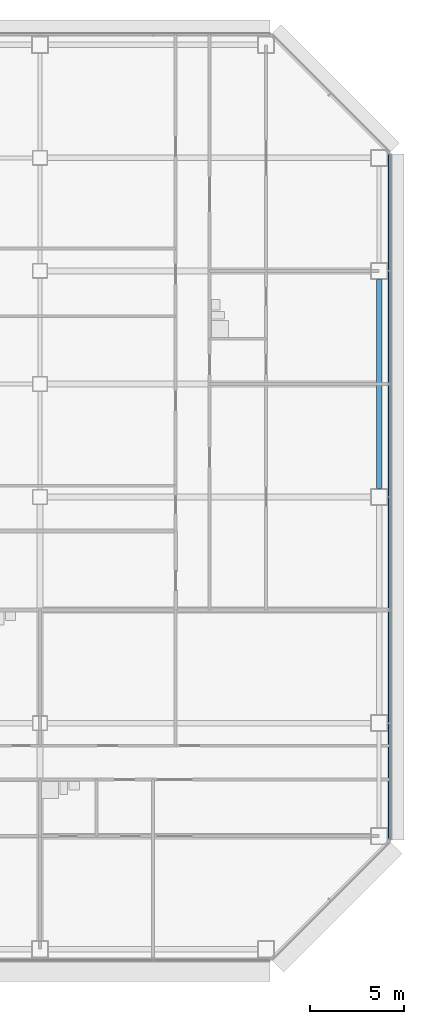
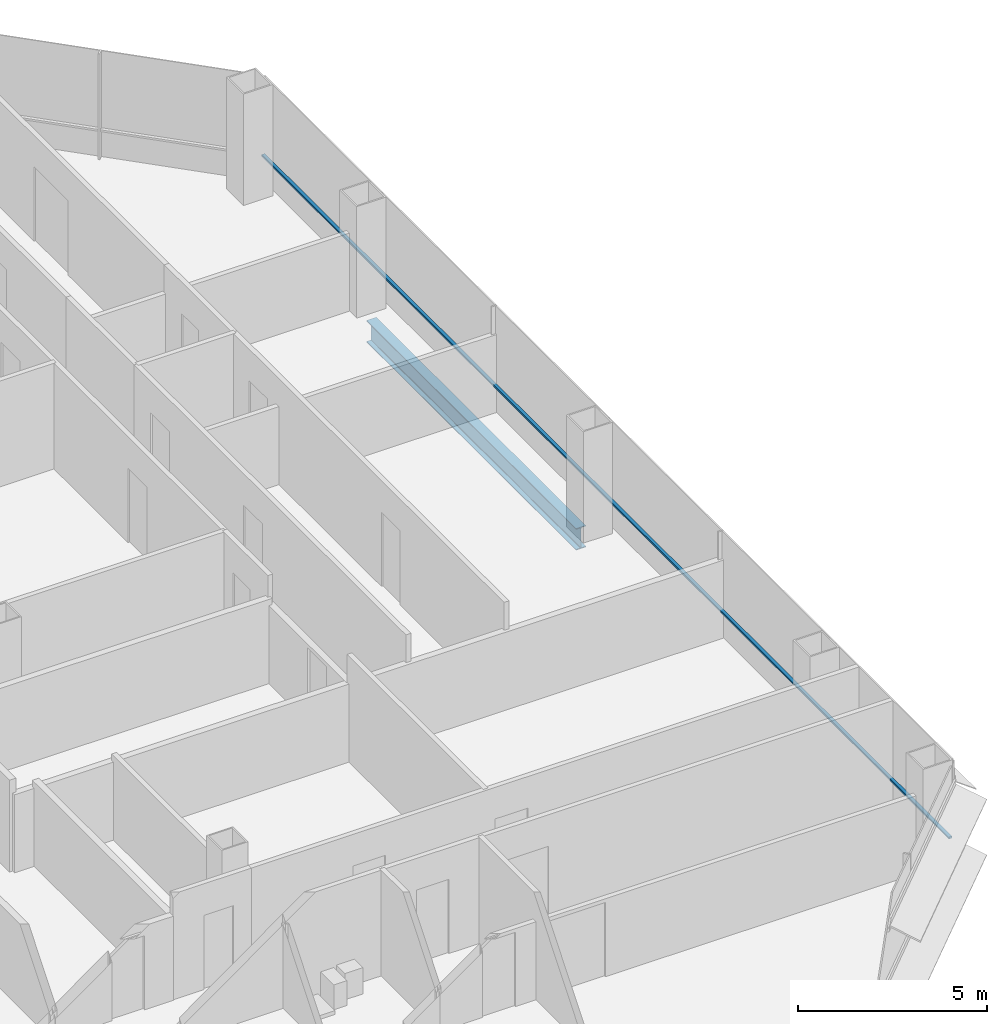
# One storey, part 17 of 28: 1 beam, 1 member, 1 element without a shape of its own.
"""IFC4 building model written with IfcOpenShell, lengths in metres."""

from ifc_helpers import new_model, si_unit, direction, frame, origin, origin_2d, place, context, subcontext, project, spatial, rectangle, i_section, extrude, material, material_profile, profile_set, type_object, element, aggregate, save


model = new_model("IFC4")

# Units and contexts
model_context = context("Model", 3, precision=1e-05, world=origin(), true_north=direction((0.0, 1.0)))
body_context = subcontext(model_context, "Body", "Model", "MODEL_VIEW")
ifc_project = project(units=[si_unit("LENGTHUNIT", "METRE"), si_unit("AREAUNIT", "SQUARE_METRE"), si_unit("VOLUMEUNIT", "CUBIC_METRE"), si_unit("PLANEANGLEUNIT", "RADIAN"), si_unit("MASSUNIT", "GRAM", prefix="KILO")], contexts=[model_context])

# Site, building, storey
site_placement = place(None, origin())
site = spatial("IfcSite", under=ifc_project, at=site_placement, CompositionType="ELEMENT")
building_placement = place(site_placement, origin())
building = spatial("IfcBuilding", under=site, at=building_placement, Name="Sorahane Residences", CompositionType="ELEMENT")
storey_placement = place(building_placement, frame((0.0, 0.0, 60.60009765625)))
storey = spatial("IfcBuildingStorey", under=building, at=storey_placement, Name="L11", CompositionType="ELEMENT", Elevation=60.60009765625)

# Curtain wall, member
ifc_material_1 = material(Name="Dark low-e glass and black anodised aluminium", Category="aluminium")
curtain_wall_type = type_object("IfcCurtainWallType", Name="Curtain wall CW-1 Typical unitised wall", PredefinedType="NOTDEFINED", material=ifc_material_1)
curtain_wall_placement = place(storey_placement, origin())
curtain_wall = element("IfcCurtainWall", 1, at=curtain_wall_placement, inside=storey, type_object=curtain_wall_type, Name="CW-1 curtain wall L11 E1", PredefinedType="NOTDEFINED")
ifc_material_2 = material(Name="Black anodised aluminium", Category="aluminium")
ifc_material_profile_1 = material_profile(ifc_material_2, rectangle(XDim=0.10009765625, YDim=0.06005859375, at=origin_2d()), Name="Curtain wall transom CW-1 black anodised aluminium 60x100")
ifc_profile_set_1 = profile_set([ifc_material_profile_1], Name="Black anodised aluminium")
member_type = type_object("IfcMemberType", Name="Curtain wall transom CW-1 black anodised aluminium 60x100", PredefinedType="USERDEFINED", material=ifc_profile_set_1)
member_placement = place(storey_placement, frame((66.530029296875, 5.801513671875, 0.89990234375), z_axis=(0.0, 1.0, 0.0), x_axis=(-1.0, 0.0, 0.0)))
member = element("IfcMember", 2, at=member_placement, type_object=member_type, Name="CW-1 transom L11 E1", ObjectType="TRANSOM", PredefinedType="USERDEFINED", context=body_context, shape_type="SweptSolid", body=[
    extrude(rectangle(XDim=0.10009765625, YDim=0.06005859375, at=origin_2d()), origin(), (0.0, 0.0, 1.0), 36.39697265625),
])
aggregate(curtain_wall, [member])

# Beam
ifc_material_3 = material(Name="Steel Q355B", Category="steel")
ifc_material_profile_2 = material_profile(ifc_material_3, i_section(OverallWidth=0.300048828125, OverallDepth=0.699951171875, WebThickness=0.012939453125, FlangeThickness=0.02392578125, FilletRadius=0.028076171875, at=origin_2d()), Name="HN 700x300x13x24")
ifc_profile_set_2 = profile_set([ifc_material_profile_2], Name="Steel Q355B")
beam_type = type_object("IfcBeamType", Name="Steel floor beam HN 700x300x13x24 Q355B", PredefinedType="BEAM", material=ifc_profile_set_2)
beam_placement = place(storey_placement, frame((66.0, 24.449951171875, -0.530029296875), z_axis=(0.0, 1.0, 0.0), x_axis=(-1.0, 0.0, 0.0)))
element("IfcBeam", 3, at=beam_placement, inside=storey, type_object=beam_type, Name="Beam L11 058", PredefinedType="BEAM", context=body_context, shape_type="SweptSolid", body=[
    extrude(i_section(OverallWidth=0.300048828125, OverallDepth=0.699951171875, WebThickness=0.012939453125, FlangeThickness=0.02392578125, FilletRadius=0.028076171875, at=origin_2d()), origin(), (0.0, 0.0, 1.0), 11.10009765625),
])

save(model, "model.ifc")
